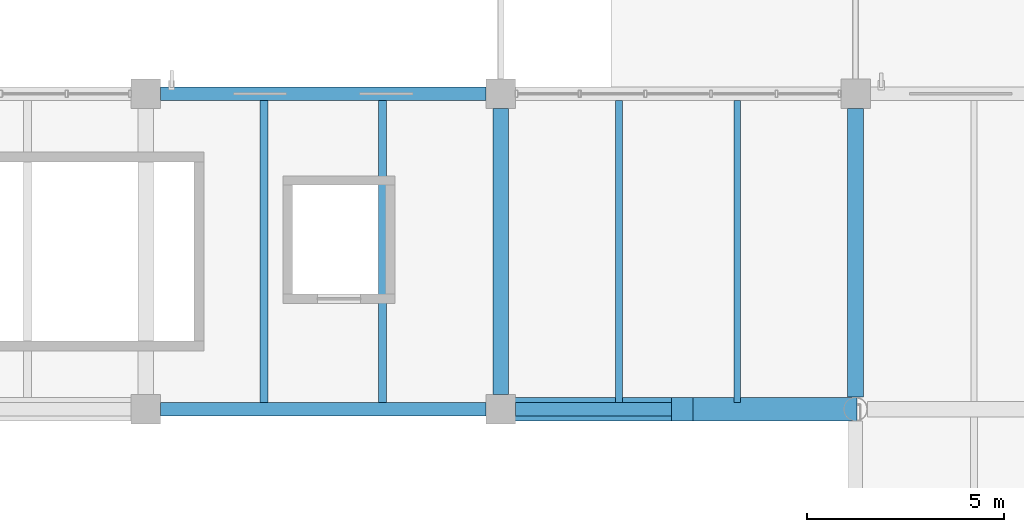
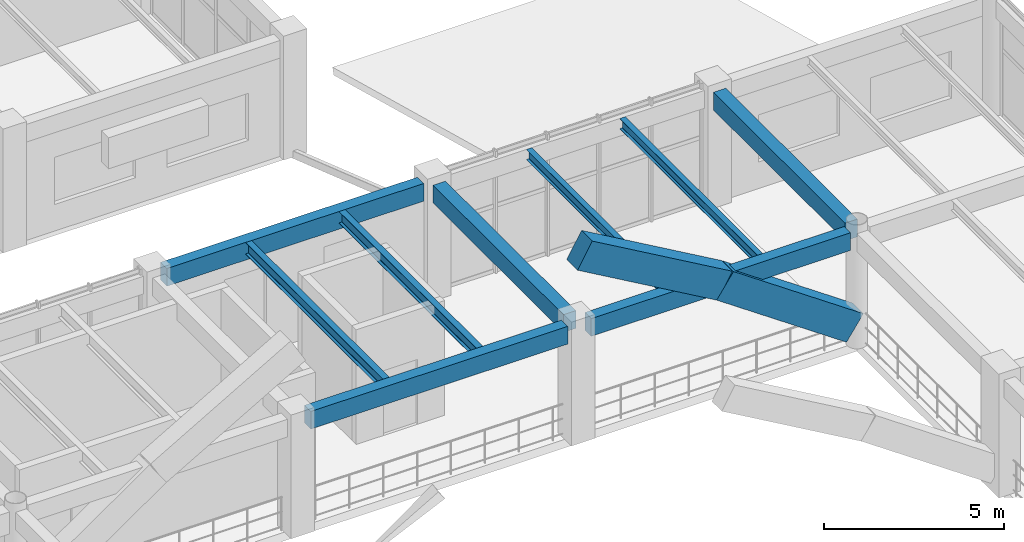
# One storey, part 60 of 148: 11 beams.
"""IFC4 building model written with IfcOpenShell, lengths in metres."""

from ifc_helpers import new_model, si_unit, derived_unit, direction, frame, origin, origin_2d, place, context, subcontext, project, spatial, rectangle, i_section, extrude, material, material_profile, profile_set, type_object, element, save


model = new_model("IFC4")

# Units and contexts
model_context = context("Model", 3, precision=1e-05, world=origin(), true_north=direction((0.0, 1.0)))
body_context = subcontext(model_context, "Body", "Model", "MODEL_VIEW")
ifc_project = project(units=[si_unit("LENGTHUNIT", "METRE"), si_unit("AREAUNIT", "SQUARE_METRE"), si_unit("VOLUMEUNIT", "CUBIC_METRE"), si_unit("PLANEANGLEUNIT", "RADIAN"), si_unit("MASSUNIT", "GRAM", prefix="KILO"), derived_unit("THERMALTRANSMITTANCEUNIT", [(si_unit("MASSUNIT", "GRAM", prefix="KILO"), 1), (si_unit("TIMEUNIT", "SECOND"), -3), (si_unit("THERMODYNAMICTEMPERATUREUNIT", "KELVIN"), -1)])], contexts=[model_context])

# Site, building, storey
site_placement = place(None, origin())
site = spatial("IfcSite", under=ifc_project, at=site_placement, CompositionType="ELEMENT")
building_placement = place(site_placement, origin())
building = spatial("IfcBuilding", under=site, at=building_placement, Name="Zhenchuan Archway Interchange", CompositionType="ELEMENT")
storey_placement = place(building_placement, frame((0.0, 0.0, 10.199951171875)))
storey = spatial("IfcBuildingStorey", under=building, at=storey_placement, Name="L02", CompositionType="ELEMENT", Elevation=10.199951171875)

# Beams
ifc_material_1 = material(Name="Concrete C40", Category="concrete")
ifc_material_profile_1 = material_profile(ifc_material_1, rectangle(XDim=0.39990234375, YDim=0.60009765625, at=origin_2d()), Name="RC 400x600")
ifc_profile_set_1 = profile_set([ifc_material_profile_1], Name="Concrete C40")
beam_type_1 = type_object("IfcBeamType", Name="BM_RC_400x600", PredefinedType="BEAM", material=ifc_profile_set_1)
beam_1_placement = place(storey_placement, frame((54.0, 80.375, 3.64013671875), z_axis=(0.0, 1.0, 0.0), x_axis=(-1.0, 0.0, 0.0)))
element("IfcBeam", 1, at=beam_1_placement, inside=storey, type_object=beam_type_1, Name="Beam 7:L-M (L02)", PredefinedType="BEAM", context=body_context, shape_type="SweptSolid", body=[
    extrude(rectangle(XDim=0.39990234375, YDim=0.60009765625, at=origin_2d()), origin(), (0.0, 0.0, 1.0), 7.25),
])
beam_2_placement = place(storey_placement, frame((63.0, 80.304931640625, 3.64013671875), z_axis=(0.0, 1.0, 0.0), x_axis=(-1.0, 0.0, 0.0)))
element("IfcBeam", 2, at=beam_2_placement, inside=storey, type_object=beam_type_1, Name="Beam 8:L-M (L02)", PredefinedType="BEAM", context=body_context, shape_type="SweptSolid", body=[
    extrude(rectangle(XDim=0.39990234375, YDim=0.60009765625, at=origin_2d()), origin(), (0.0, 0.0, 1.0), 7.320068359375),
])
ifc_material_2 = material(Name="Concrete C50", Category="concrete")
ifc_material_profile_2 = material_profile(ifc_material_2, rectangle(XDim=0.60009765625, YDim=0.949951171875, at=origin_2d()), Name="RC 600x950")
ifc_profile_set_2 = profile_set([ifc_material_profile_2], Name="Concrete C50")
beam_type_2 = type_object("IfcBeamType", Name="BM_RC_ARCH_600x950", PredefinedType="BEAM", material=ifc_profile_set_2)
beam_3_placement = place(storey_placement, frame((54.101806640625, 80.0, 6.2490234375), z_axis=(0.865875481591, 0.0, -0.500259582996), x_axis=(0.0, 1.0, 0.0)))
element("IfcBeam", 3, at=beam_3_placement, inside=storey, type_object=beam_type_2, Name="Parabolic RC concourse arch A6 segment 5", PredefinedType="BEAM", context=body_context, shape_type="SweptSolid", body=[
    extrude(rectangle(XDim=0.60009765625, YDim=0.949951171875, at=origin_2d()), origin(), (0.0, 0.0, 1.0), 5.193115234375),
])
beam_4_placement = place(storey_placement, frame((58.6015625, 80.0, 3.64892578125), z_axis=(0.821864541995, 0.0, -0.569682959735), x_axis=(0.0, 1.0, 0.0)))
element("IfcBeam", 4, at=beam_4_placement, inside=storey, type_object=beam_type_2, Name="Parabolic RC concourse arch A6 segment 6", PredefinedType="BEAM", context=body_context, shape_type="SweptSolid", body=[
    extrude(rectangle(XDim=0.60009765625, YDim=0.949951171875, at=origin_2d()), origin(), (0.0, 0.0, 1.0), 5.072021484375),
])
ifc_material_3 = material(Name="Steel Q355", Category="steel")
ifc_material_profile_3 = material_profile(ifc_material_3, i_section(OverallWidth=0.175048828125, OverallDepth=0.35009765625, WebThickness=0.007080078125, FlangeThickness=0.010986328125, FilletRadius=0.013916015625, at=origin_2d()), Name="HN 350x175")
ifc_profile_set_3 = profile_set([ifc_material_profile_3], Name="Steel Q355")
beam_type_3 = type_object("IfcBeamType", Name="JST_STL_HN350", PredefinedType="JOIST", material=ifc_profile_set_3)
for number, where, z_axis, x_axis, name in (
    (5, (57.0, 80.175048828125, 3.76513671875), (0.0, 1.0, 0.0), (-1.0, 0.0, 0.0), "Secondary joist 7-8/L-M #1 (L02)"),
    (6, (60.0, 80.175048828125, 3.76513671875), (0.0, 1.0, 0.0), (-1.0, 0.0, 0.0), "Secondary joist 7-8/L-M #2 (L02)"),
):
    element("IfcBeam", number, at=place(storey_placement, frame(where, z_axis=z_axis, x_axis=x_axis)), inside=storey, type_object=beam_type_3, Name=name, PredefinedType="JOIST", context=body_context, shape_type="SweptSolid", body=[
        extrude(i_section(OverallWidth=0.175048828125, OverallDepth=0.35009765625, WebThickness=0.007080078125, FlangeThickness=0.010986328125, FilletRadius=0.013916015625, at=origin_2d()), origin(), (0.0, 0.0, 1.0), 7.64990234375),
    ])
ifc_material_profile_4 = material_profile(ifc_material_3, i_section(OverallWidth=0.199951171875, OverallDepth=0.39990234375, WebThickness=0.008056640625, FlangeThickness=0.012939453125, FilletRadius=0.01611328125, at=origin_2d()), Name="HN 400x200")
ifc_profile_set_4 = profile_set([ifc_material_profile_4], Name="Steel Q355")
beam_type_4 = type_object("IfcBeamType", Name="JST_STL_HN400", PredefinedType="JOIST", material=ifc_profile_set_4)
for number, where, z_axis, x_axis, name in (
    (7, (48.0, 80.175048828125, 3.739990234375), (0.0, 1.0, 0.0), (-1.0, 0.0, 0.0), "Secondary joist 6-7/L-M #1 (L02)"),
    (8, (51.0, 80.175048828125, 3.739990234375), (0.0, 1.0, 0.0), (-1.0, 0.0, 0.0), "Secondary joist 6-7/L-M #2 (L02)"),
):
    element("IfcBeam", number, at=place(storey_placement, frame(where, z_axis=z_axis, x_axis=x_axis)), inside=storey, type_object=beam_type_4, Name=name, PredefinedType="JOIST", context=body_context, shape_type="SweptSolid", body=[
        extrude(i_section(OverallWidth=0.199951171875, OverallDepth=0.39990234375, WebThickness=0.008056640625, FlangeThickness=0.012939453125, FilletRadius=0.01611328125, at=origin_2d()), origin(), (0.0, 0.0, 1.0), 7.64990234375),
    ])
ifc_material_profile_5 = material_profile(ifc_material_1, rectangle(XDim=0.35009765625, YDim=0.60009765625, at=origin_2d()), Name="RC 350x600")
ifc_profile_set_5 = profile_set([ifc_material_profile_5], Name="Concrete C40")
beam_type_5 = type_object("IfcBeamType", Name="SP_RC_350x600", PredefinedType="SPANDREL", material=ifc_profile_set_5)
beam_5_placement = place(storey_placement, frame((45.375, 80.0, 3.64013671875), z_axis=(1.0, 0.0, 0.0), x_axis=(0.0, 1.0, 0.0)))
element("IfcBeam", 9, at=beam_5_placement, inside=storey, type_object=beam_type_5, Name="Beam L:6-7 (L02)", PredefinedType="SPANDREL", context=body_context, shape_type="SweptSolid", body=[
    extrude(rectangle(XDim=0.35009765625, YDim=0.60009765625, at=origin_2d()), origin(), (0.0, 0.0, 1.0), 8.25),
])
beam_6_placement = place(storey_placement, frame((54.375, 80.0, 3.64013671875), z_axis=(1.0, 0.0, 0.0), x_axis=(0.0, 1.0, 0.0)))
element("IfcBeam", 10, at=beam_6_placement, inside=storey, type_object=beam_type_5, Name="Beam L:7-8 (L02)", PredefinedType="SPANDREL", context=body_context, shape_type="SweptSolid", body=[
    extrude(rectangle(XDim=0.35009765625, YDim=0.60009765625, at=origin_2d()), origin(), (0.0, 0.0, 1.0), 8.320068359375),
])
beam_7_placement = place(storey_placement, frame((45.375, 88.0, 3.64013671875), z_axis=(1.0, 0.0, 0.0), x_axis=(0.0, 1.0, 0.0)))
element("IfcBeam", 11, at=beam_7_placement, inside=storey, type_object=beam_type_5, Name="Beam M:6-7 (L02)", PredefinedType="SPANDREL", context=body_context, shape_type="SweptSolid", body=[
    extrude(rectangle(XDim=0.35009765625, YDim=0.60009765625, at=origin_2d()), origin(), (0.0, 0.0, 1.0), 8.25),
])

save(model, "model.ifc")
